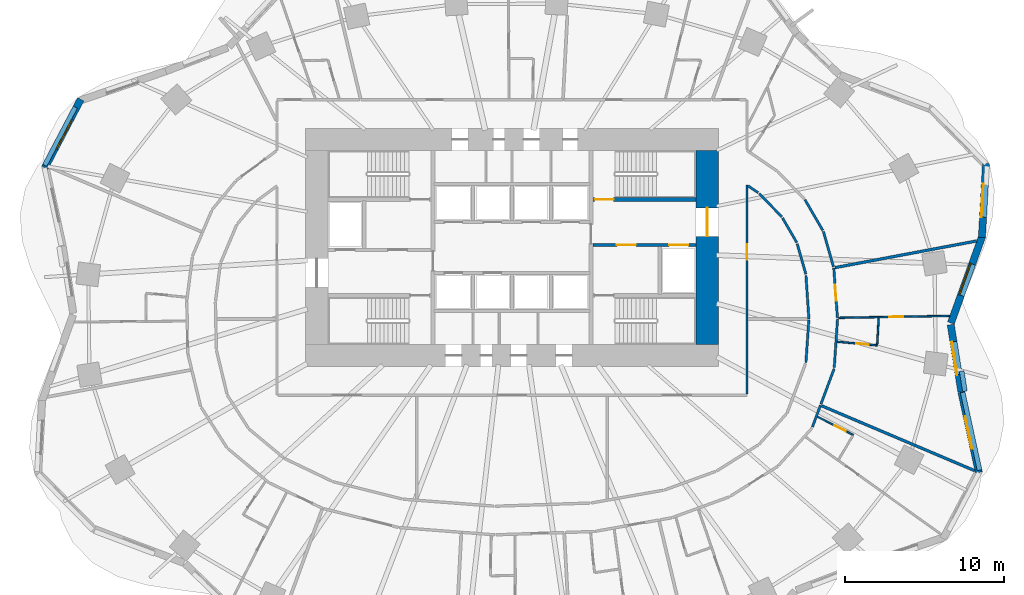
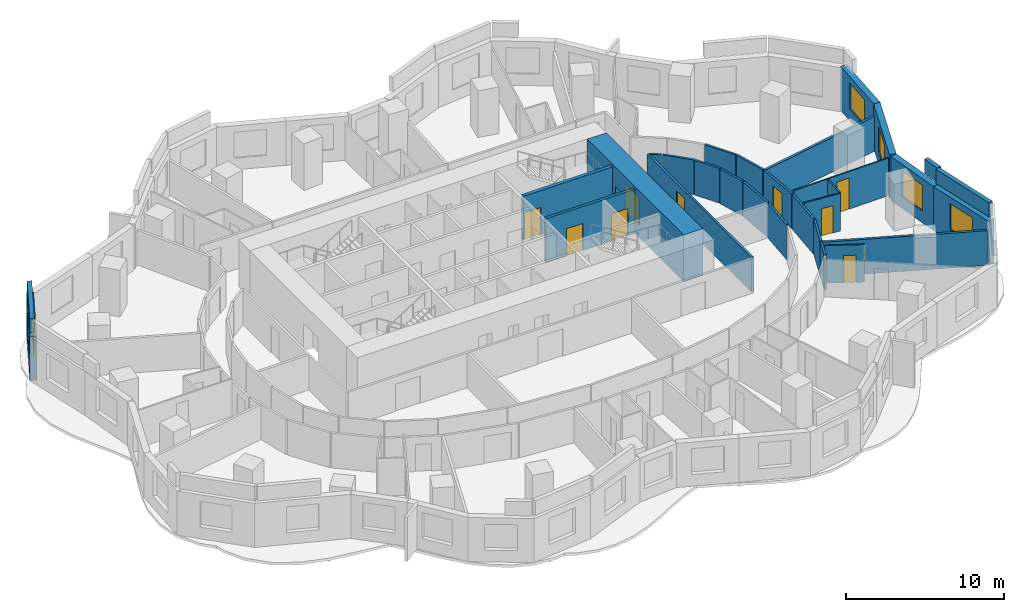
# One storey, part 7 of 11: 30 walls, 9 doors, 5 windows, 14 openings.
"""IFC4 building model written with IfcOpenShell, lengths in metres."""

from ifc_helpers import new_model, si_unit, direction, frame, frame_2d, origin, place, context, subcontext, project, spatial, rectangle, extrude, material, layer, layer_set, type_object, element, fill, save


model = new_model("IFC4")

# Units and contexts
model_context = context("Model", 3, precision=1e-05, world=origin(), true_north=direction((0.0, 1.0)))
body_context = subcontext(model_context, "Body", "Model", "MODEL_VIEW")
ifc_project = project(units=[si_unit("LENGTHUNIT", "METRE"), si_unit("AREAUNIT", "SQUARE_METRE"), si_unit("VOLUMEUNIT", "CUBIC_METRE"), si_unit("PLANEANGLEUNIT", "RADIAN"), si_unit("MASSUNIT", "GRAM", prefix="KILO")], contexts=[model_context])

# Site, building, storey
site_placement = place(None, origin())
site = spatial("IfcSite", under=ifc_project, at=site_placement, CompositionType="ELEMENT")
building_placement = place(site_placement, origin())
building = spatial("IfcBuilding", under=site, at=building_placement, Name="Rubra Terraces Tower", CompositionType="ELEMENT")
storey_placement = place(building_placement, frame((0.0, 0.0, 69.89990234375)))
storey = spatial("IfcBuildingStorey", under=building, at=storey_placement, Name="L15", CompositionType="ELEMENT", Elevation=69.89990234375)

# Walls
ifc_material_1 = material(Name="Twin plasterboard on staggered steel stud, acoustic mineral wool", Category="steel")
ifc_layer_1 = layer(ifc_material_1, 0.175048828125)
ifc_layer_set_1 = layer_set([ifc_layer_1], Name="Twin plasterboard on staggered steel stud, acoustic mineral wool")
wall_type_1 = type_object("IfcWallType", Name="ACOUSTIC PARTY WALL 175", PredefinedType="PARTITIONING", material=ifc_layer_set_1)
wall_1_placement = place(storey_placement, frame((29.13916015625, -9.557373046875, 0.0), z_axis=(0.0, 0.0, 1.0), x_axis=(-0.920644988054, 0.390400827318, 0.0)))
element("IfcWall", 1, at=wall_1_placement, inside=storey, type_object=wall_type_1, Name="PARTITION", PredefinedType="PARTITIONING", context=body_context, shape_type="SweptSolid", body=[
    extrude(rectangle(XDim=10.4765625, YDim=0.175048828125, at=frame_2d((5.23828125, 0.0))), origin(), (0.0, 0.0, 1.0), 2.68017578125),
])
wall_2_placement = place(storey_placement, frame((29.256591796875, 4.90966796875, 0.0), z_axis=(0.0, 0.0, 1.0), x_axis=(-0.982744388162, -0.184968828552, 0.0)))
element("IfcWall", 2, at=wall_2_placement, inside=storey, type_object=wall_type_1, Name="PARTITION", PredefinedType="PARTITIONING", context=body_context, shape_type="SweptSolid", body=[
    extrude(rectangle(XDim=9.078369140625, YDim=0.175048828125, at=frame_2d((4.5390625, 0.0))), origin(), (0.0, 0.0, 1.0), 2.68017578125),
])

# Wall, opening, window
ifc_material_2 = material(Name="Brick masonry red-brown", Category="masonry")
ifc_layer_2 = layer(ifc_material_2, 0.449951171875)
ifc_layer_set_2 = layer_set([ifc_layer_2], Name="Brick masonry red-brown")
wall_type_2 = type_object("IfcWallType", Name="Brick facade wall 450", PredefinedType="SOLIDWALL", material=ifc_layer_set_2)
wall_3_placement = place(storey_placement, frame((27.638427734375, -0.25732421875, 0.0), z_axis=(0.0, 0.0, 1.0), x_axis=(0.338914809068, 0.940817066275, 0.0)))
wall_3 = element("IfcWall", 3, at=wall_3_placement, inside=storey, type_object=wall_type_2, Name="Facade wall L15 bay 1", PredefinedType="SOLIDWALL", context=body_context, shape_type="SweptSolid", body=[
    extrude(rectangle(XDim=5.79736328125, YDim=0.449951171875, at=frame_2d((2.898681640625, 0.0))), origin(), (0.0, 0.0, 1.0), 3.400146484375),
])
opening_1_placement = place(wall_3_placement, frame((1.8486328125, 0.0, 0.89990234375)))
opening_1 = element("IfcOpeningElement", 4, at=opening_1_placement, cuts=wall_3, Name="Opening W1", PredefinedType="OPENING", context=body_context, shape_type="SweptSolid", body=[
    extrude(rectangle(XDim=2.10009765625, YDim=2.0, at=frame_2d((1.050048828125, 1.0))), frame((0.0, 0.23486328125, 0.0), z_axis=(0.0, -1.0, 0.0), x_axis=(1.0, 0.0, 0.0)), (0.0, 0.0, 1.0), 0.469970703125),
])
ifc_material_3 = material(Name="Clear glass in aluminium frame", Category="aluminium")
window_type = type_object("IfcWindowType", Name="Fixed deep-set window 2100 x 2000", PartitioningType="SINGLE_PANEL", PredefinedType="WINDOW", material=ifc_material_3)
window_1_placement = place(opening_1_placement, origin())
window_1 = element("IfcWindow", 5, at=window_1_placement, inside=storey, type_object=window_type, Name="Window L15 bay 1", OverallHeight=2.0, OverallWidth=2.10009765625, PartitioningType="SINGLE_PANEL", PredefinedType="WINDOW", context=body_context, shape_type="SweptSolid", body=[
    extrude(rectangle(XDim=2.10009765625, YDim=2.0, at=frame_2d((1.050048828125, 1.0))), frame((0.0, 0.135009765625, 0.0), z_axis=(0.0, -1.0, 0.0), x_axis=(1.0, 0.0, 0.0)), (0.0, 0.0, 1.0), 0.06005859375),
])
fill(opening_1, window_1)

wall_4_placement = place(storey_placement, frame((29.59033203125, 5.1328125, 0.0), z_axis=(0.0, 0.0, 1.0), x_axis=(0.054738225791, 0.998500739427, 0.0)))
wall_4 = element("IfcWall", 6, at=wall_4_placement, inside=storey, type_object=wall_type_2, Name="Facade wall L15 bay 2", PredefinedType="SOLIDWALL", context=body_context, shape_type="SweptSolid", body=[
    extrude(rectangle(XDim=4.656494140625, YDim=0.449951171875, at=frame_2d((2.328125, 0.0))), origin(), (0.0, 0.0, 1.0), 3.400146484375),
])
opening_2_placement = place(wall_4_placement, frame((1.2783203125, 0.0, 0.89990234375)))
opening_2 = element("IfcOpeningElement", 7, at=opening_2_placement, cuts=wall_4, Name="Opening W1", PredefinedType="OPENING", context=body_context, shape_type="SweptSolid", body=[
    extrude(rectangle(XDim=2.10009765625, YDim=2.0, at=frame_2d((1.050048828125, 1.0))), frame((0.0, 0.23486328125, 0.0), z_axis=(0.0, -1.0, 0.0), x_axis=(1.0, 0.0, 0.0)), (0.0, 0.0, 1.0), 0.469970703125),
])
window_2_placement = place(opening_2_placement, origin())
window_2 = element("IfcWindow", 8, at=window_2_placement, inside=storey, type_object=window_type, Name="Window L15 bay 2", OverallHeight=2.0, OverallWidth=2.10009765625, PartitioningType="SINGLE_PANEL", PredefinedType="WINDOW", context=body_context, shape_type="SweptSolid", body=[
    extrude(rectangle(XDim=2.10009765625, YDim=2.0, at=frame_2d((1.050048828125, 1.0))), frame((0.0, 0.135009765625, 0.0), z_axis=(0.0, -1.0, 0.0), x_axis=(1.0, 0.0, 0.0)), (0.0, 0.0, 1.0), 0.06005859375),
])
fill(opening_2, window_2)

wall_5_placement = place(storey_placement, frame((-27.15283203125, 13.831298828125, 0.0), z_axis=(0.0, 0.0, 1.0), x_axis=(-0.465165872942, -0.885223537108, 0.0)))
wall_5 = element("IfcWall", 9, at=wall_5_placement, inside=storey, type_object=wall_type_2, Name="Facade wall L15 bay 18", PredefinedType="SOLIDWALL", context=body_context, shape_type="SweptSolid", body=[
    extrude(rectangle(XDim=4.87109375, YDim=0.449951171875, at=frame_2d((2.435546875, 0.0))), origin(), (0.0, 0.0, 1.0), 3.400146484375),
])
opening_3_placement = place(wall_5_placement, frame((1.385498046875, 0.0, 0.89990234375)))
opening_3 = element("IfcOpeningElement", 10, at=opening_3_placement, cuts=wall_5, Name="Opening W1", PredefinedType="OPENING", context=body_context, shape_type="SweptSolid", body=[
    extrude(rectangle(XDim=2.10009765625, YDim=2.0, at=frame_2d((1.050048828125, 1.0))), frame((0.0, 0.23486328125, 0.0), z_axis=(0.0, -1.0, 0.0), x_axis=(1.0, 0.0, 0.0)), (0.0, 0.0, 1.0), 0.469970703125),
])
window_3_placement = place(opening_3_placement, origin())
window_3 = element("IfcWindow", 11, at=window_3_placement, inside=storey, type_object=window_type, Name="Window L15 bay 18", OverallHeight=2.0, OverallWidth=2.10009765625, PartitioningType="SINGLE_PANEL", PredefinedType="WINDOW", context=body_context, shape_type="SweptSolid", body=[
    extrude(rectangle(XDim=2.10009765625, YDim=2.0, at=frame_2d((1.050048828125, 1.0))), frame((0.0, 0.135009765625, 0.0), z_axis=(0.0, -1.0, 0.0), x_axis=(1.0, 0.0, 0.0)), (0.0, 0.0, 1.0), 0.06005859375),
])
fill(opening_3, window_3)

wall_6_placement = place(storey_placement, frame((29.39697265625, -9.665771484375, 0.0), z_axis=(0.0, 0.0, 1.0), x_axis=(-0.211962455994, 0.977277809657, 0.0)))
wall_6 = element("IfcWall", 12, at=wall_6_placement, inside=storey, type_object=wall_type_2, Name="Facade wall L15 bay 39", PredefinedType="SOLIDWALL", context=body_context, shape_type="SweptSolid", body=[
    extrude(rectangle(XDim=5.185546875, YDim=0.449951171875, at=frame_2d((2.5927734375, 0.0))), origin(), (0.0, 0.0, 1.0), 3.400146484375),
])
opening_4_placement = place(wall_6_placement, frame((1.542724609375, 0.0, 0.89990234375)))
opening_4 = element("IfcOpeningElement", 13, at=opening_4_placement, cuts=wall_6, Name="Opening W1", PredefinedType="OPENING", context=body_context, shape_type="SweptSolid", body=[
    extrude(rectangle(XDim=2.10009765625, YDim=2.0, at=frame_2d((1.050048828125, 1.0))), frame((0.0, 0.23486328125, 0.0), z_axis=(0.0, -1.0, 0.0), x_axis=(1.0, 0.0, 0.0)), (0.0, 0.0, 1.0), 0.469970703125),
])
window_4_placement = place(opening_4_placement, origin())
window_4 = element("IfcWindow", 14, at=window_4_placement, inside=storey, type_object=window_type, Name="Window L15 bay 39", OverallHeight=2.0, OverallWidth=2.10009765625, PartitioningType="SINGLE_PANEL", PredefinedType="WINDOW", context=body_context, shape_type="SweptSolid", body=[
    extrude(rectangle(XDim=2.10009765625, YDim=2.0, at=frame_2d((1.050048828125, 1.0))), frame((0.0, 0.135009765625, 0.0), z_axis=(0.0, -1.0, 0.0), x_axis=(1.0, 0.0, 0.0)), (0.0, 0.0, 1.0), 0.06005859375),
])
fill(opening_4, window_4)

wall_7_placement = place(storey_placement, frame((28.295654296875, -4.584228515625, 0.0), z_axis=(0.0, 0.0, 1.0), x_axis=(-0.156402397796, 0.987693419014, 0.0)))
wall_7 = element("IfcWall", 15, at=wall_7_placement, inside=storey, type_object=wall_type_2, Name="Facade wall L15 bay 40", PredefinedType="SOLIDWALL", context=body_context, shape_type="SweptSolid", body=[
    extrude(rectangle(XDim=4.275634765625, YDim=0.449951171875, at=frame_2d((2.1376953125, 0.0))), origin(), (0.0, 0.0, 1.0), 3.400146484375),
])
opening_5_placement = place(wall_7_placement, frame((1.087890625, 0.0, 0.89990234375)))
opening_5 = element("IfcOpeningElement", 16, at=opening_5_placement, cuts=wall_7, Name="Opening W1", PredefinedType="OPENING", context=body_context, shape_type="SweptSolid", body=[
    extrude(rectangle(XDim=2.10009765625, YDim=2.0, at=frame_2d((1.050048828125, 1.0))), frame((0.0, 0.23486328125, 0.0), z_axis=(0.0, -1.0, 0.0), x_axis=(1.0, 0.0, 0.0)), (0.0, 0.0, 1.0), 0.469970703125),
])
window_5_placement = place(opening_5_placement, origin())
window_5 = element("IfcWindow", 17, at=window_5_placement, inside=storey, type_object=window_type, Name="Window L15 bay 40", OverallHeight=2.0, OverallWidth=2.10009765625, PartitioningType="SINGLE_PANEL", PredefinedType="WINDOW", context=body_context, shape_type="SweptSolid", body=[
    extrude(rectangle(XDim=2.10009765625, YDim=2.0, at=frame_2d((1.050048828125, 1.0))), frame((0.0, 0.135009765625, 0.0), z_axis=(0.0, -1.0, 0.0), x_axis=(1.0, 0.0, 0.0)), (0.0, 0.0, 1.0), 0.06005859375),
])
fill(opening_5, window_5)

# Walls
ifc_layer_3 = layer(ifc_material_2, 0.300048828125)
ifc_layer_set_3 = layer_set([ifc_layer_3], Name="Brick masonry red-brown")
wall_type_3 = type_object("IfcWallType", Name="Brick parapet 300", PredefinedType="PARAPET", material=ifc_layer_set_3)
wall_8_placement = place(storey_placement, frame((-27.495361328125, 13.3408203125, 3.60009765625), z_axis=(0.0, 0.0, 1.0), x_axis=(-0.46519687666, -0.88520724463, 0.0)))
element("IfcWall", 18, at=wall_8_placement, inside=storey, type_object=wall_type_3, Name="Parapet L15 bay 18", PredefinedType="PARAPET", context=body_context, shape_type="SweptSolid", body=[
    extrude(rectangle(XDim=4.138671875, YDim=0.300048828125, at=frame_2d((2.0693359375, 0.0))), origin(), (0.0, 0.0, 1.0), 1.10009765625),
])
wall_9_placement = place(storey_placement, frame((29.44189453125, -9.519775390625, 3.60009765625), z_axis=(0.0, 0.0, 1.0), x_axis=(-0.211918382355, 0.977287367779, 0.0)))
element("IfcWall", 19, at=wall_9_placement, inside=storey, type_object=wall_type_3, Name="Parapet L15 bay 39", PredefinedType="PARAPET", context=body_context, shape_type="SweptSolid", body=[
    extrude(rectangle(XDim=5.01611328125, YDim=0.300048828125, at=frame_2d((2.508056640625, 0.0))), origin(), (0.0, 0.0, 1.0), 1.10009765625),
])
wall_10_placement = place(storey_placement, frame((28.51904296875, -4.556396484375, 3.60009765625), z_axis=(0.0, 0.0, 1.0), x_axis=(-0.156466543472, 0.987683259337, 0.0)))
element("IfcWall", 20, at=wall_10_placement, inside=storey, type_object=wall_type_3, Name="Parapet L15 bay 40", PredefinedType="PARAPET", context=body_context, shape_type="SweptSolid", body=[
    extrude(rectangle(XDim=1.29345703125, YDim=0.300048828125, at=frame_2d((0.646728515625, 0.0))), origin(), (0.0, 0.0, 1.0), 1.10009765625),
])

# Wall, opening, door
ifc_material_4 = material(Name="Concrete C70", Category="concrete")
ifc_layer_4 = layer(ifc_material_4, 1.39990234375)
ifc_layer_set_4 = layer_set([ifc_layer_4], Name="Concrete C70")
wall_type_4 = type_object("IfcWallType", Name="CORE WALL 1400 C70", PredefinedType="SHEAR", material=ifc_layer_set_4)
wall_11_placement = place(storey_placement, frame((12.300048828125, -1.60009765625, 0.0), z_axis=(0.0, 0.0, 1.0), x_axis=(0.0, 1.0, 0.0)))
wall_11 = element("IfcWall", 21, at=wall_11_placement, inside=storey, type_object=wall_type_4, Name="CORE WALL E L15", PredefinedType="SHEAR", context=body_context, shape_type="SweptSolid", body=[
    extrude(rectangle(XDim=12.2001953125, YDim=1.39990234375, at=frame_2d((6.10009765625, 0.0))), origin(), (0.0, 0.0, 1.0), 3.60009765625),
])
opening_6_placement = place(wall_11_placement, frame((6.800048828125, 0.0, 0.0)))
opening_6 = element("IfcOpeningElement", 22, at=opening_6_placement, cuts=wall_11, Name="Opening L15.C02", PredefinedType="OPENING", context=body_context, shape_type="SweptSolid", body=[
    extrude(rectangle(XDim=1.800048828125, YDim=2.10009765625, at=frame_2d((0.89990234375, 1.050048828125))), frame((0.0, 0.7099609375, 0.0), z_axis=(0.0, -1.0, 0.0), x_axis=(1.0, 0.0, 0.0)), (0.0, 0.0, 1.0), 1.419921875),
])
ifc_material_5 = material(Name="Painted steel", Category="steel")
door_type_1 = type_object("IfcDoorType", Name="Fire door 1800x2100 double", OperationType="NOTDEFINED", PredefinedType="DOOR", material=ifc_material_5)
door_1_placement = place(opening_6_placement, origin())
door_1 = element("IfcDoor", 23, at=door_1_placement, inside=storey, type_object=door_type_1, Name="Core entrance door FF2", OperationType="DOUBLE_DOOR_SINGLE_SWING", OverallHeight=2.10009765625, OverallWidth=1.800048828125, PredefinedType="DOOR", context=body_context, shape_type="SweptSolid", body=[
    extrude(rectangle(XDim=1.800048828125, YDim=2.10009765625, at=frame_2d((0.89990234375, 1.050048828125))), frame((0.0, 0.02490234375, 0.0), z_axis=(0.0, -1.0, 0.0), x_axis=(1.0, 0.0, 0.0)), (0.0, 0.0, 1.0), 0.050048828125),
])
fill(opening_6, door_1)

# Walls
ifc_material_6 = material(Name="Plasterboard on steel stud, mineral wool infill", Category="steel")
ifc_layer_5 = layer(ifc_material_6, 0.14990234375)
ifc_layer_set_5 = layer_set([ifc_layer_5], Name="Plasterboard on steel stud, mineral wool infill")
wall_type_5 = type_object("IfcWallType", Name="CORRIDOR PARTITION 150", PredefinedType="PARTITIONING", material=ifc_layer_set_5)
wall_12_placement = place(storey_placement, frame((18.914794921875, -6.805908203125, 0.0), z_axis=(0.0, 0.0, 1.0), x_axis=(0.349345122546, 0.936994122368, 0.0)))
element("IfcWall", 24, at=wall_12_placement, inside=storey, type_object=wall_type_5, Name="PARTITION", PredefinedType="PARTITIONING", context=body_context, shape_type="SweptSolid", body=[
    extrude(rectangle(XDim=1.4599609375, YDim=0.14990234375, at=frame_2d((0.72998046875, 0.0))), origin(), (0.0, 0.0, 1.0), 2.68017578125),
])
wall_13_placement = place(storey_placement, frame((19.451171875, -5.367919921875, 0.0), z_axis=(0.0, 0.0, 1.0), x_axis=(0.349432605922, 0.936961500766, 0.0)))
element("IfcWall", 25, at=wall_13_placement, inside=storey, type_object=wall_type_5, Name="PARTITION", PredefinedType="PARTITIONING", context=body_context, shape_type="SweptSolid", body=[
    extrude(rectangle(XDim=2.39013671875, YDim=0.14990234375, at=frame_2d((1.195068359375, 0.0))), origin(), (0.0, 0.0, 1.0), 2.68017578125),
])
wall_14_placement = place(storey_placement, frame((20.29150390625, -3.053466796875, 0.0), z_axis=(0.0, 0.0, 1.0), x_axis=(0.067646719267, 0.997709337118, 0.0)))
element("IfcWall", 26, at=wall_14_placement, inside=storey, type_object=wall_type_5, Name="PARTITION", PredefinedType="PARTITIONING", context=body_context, shape_type="SweptSolid", body=[
    extrude(rectangle(XDim=3.060546875, YDim=0.14990234375, at=frame_2d((1.5302734375, 0.0))), origin(), (0.0, 0.0, 1.0), 2.68017578125),
])

# Wall, opening, door
wall_15_placement = place(storey_placement, frame((20.4931640625, 0.07470703125, 0.0), z_axis=(0.0, 0.0, 1.0), x_axis=(-0.073620484391, 0.997286330137, 0.0)))
wall_15 = element("IfcWall", 27, at=wall_15_placement, inside=storey, type_object=wall_type_5, Name="PARTITION", PredefinedType="PARTITIONING", context=body_context, shape_type="SweptSolid", body=[
    extrude(rectangle(XDim=3.150390625, YDim=0.14990234375, at=frame_2d((1.5751953125, 0.0))), origin(), (0.0, 0.0, 1.0), 2.68017578125),
])
opening_7_placement = place(wall_15_placement, frame((1.073974609375, 0.0, 0.0)))
opening_7 = element("IfcOpeningElement", 28, at=opening_7_placement, cuts=wall_15, Name="Opening 15-128", PredefinedType="OPENING", context=body_context, shape_type="SweptSolid", body=[
    extrude(rectangle(XDim=1.0, YDim=2.10009765625, at=frame_2d((0.5, 1.050048828125))), frame((0.0, 0.0849609375, 0.0), z_axis=(0.0, -1.0, 0.0), x_axis=(1.0, 0.0, 0.0)), (0.0, 0.0, 1.0), 0.169921875),
])
ifc_material_7 = material(Name="Painted timber door leaf", Category="wood")
door_type_2 = type_object("IfcDoorType", Name="ROOM DOOR 1000 X 2100", OperationType="SINGLE_SWING_LEFT", PredefinedType="DOOR", material=ifc_material_7)
door_2_placement = place(opening_7_placement, origin())
door_2 = element("IfcDoor", 29, at=door_2_placement, inside=storey, type_object=door_type_2, Name="DOOR 15-128", OperationType="SINGLE_SWING_RIGHT", OverallHeight=2.10009765625, OverallWidth=1.0, PredefinedType="DOOR", context=body_context, shape_type="SweptSolid", body=[
    extrude(rectangle(XDim=1.0, YDim=2.10009765625, at=frame_2d((0.5, 1.050048828125))), frame((0.0, 0.02490234375, 0.0), z_axis=(0.0, -1.0, 0.0), x_axis=(1.0, 0.0, 0.0)), (0.0, 0.0, 1.0), 0.050048828125),
])
fill(opening_7, door_2)

# Walls
wall_16_placement = place(storey_placement, frame((20.240478515625, 3.288818359375, 0.0), z_axis=(0.0, 0.0, 1.0), x_axis=(-0.27423295978, 0.961663290227, 0.0)))
element("IfcWall", 30, at=wall_16_placement, inside=storey, type_object=wall_type_5, Name="PARTITION", PredefinedType="PARTITIONING", context=body_context, shape_type="SweptSolid", body=[
    extrude(rectangle(XDim=2.31201171875, YDim=0.14990234375, at=frame_2d((1.156005859375, 0.0))), origin(), (0.0, 0.0, 1.0), 2.68017578125),
])
wall_17_placement = place(storey_placement, frame((19.56884765625, 5.576904296875, 0.0), z_axis=(0.0, 0.0, 1.0), x_axis=(-0.502457989762, 0.864601624174, 0.0)))
element("IfcWall", 31, at=wall_17_placement, inside=storey, type_object=wall_type_5, Name="PARTITION", PredefinedType="PARTITIONING", context=body_context, shape_type="SweptSolid", body=[
    extrude(rectangle(XDim=2.246337890625, YDim=0.14990234375, at=frame_2d((1.123046875, 0.0))), origin(), (0.0, 0.0, 1.0), 2.68017578125),
])
wall_18_placement = place(storey_placement, frame((15.564453125, 7.9013671875, 0.0), z_axis=(0.0, 0.0, 1.0), x_axis=(0.695611358841, -0.718418288639, 0.0)))
element("IfcWall", 32, at=wall_18_placement, inside=storey, type_object=wall_type_5, Name="PARTITION", PredefinedType="PARTITIONING", context=body_context, shape_type="SweptSolid", body=[
    extrude(rectangle(XDim=2.05517578125, YDim=0.14990234375, at=frame_2d((1.027587890625, 0.0))), origin(), (0.0, 0.0, 1.0), 2.68017578125),
])
wall_19_placement = place(storey_placement, frame((17.031982421875, 6.35986328125, 0.0), z_axis=(0.0, 0.0, 1.0), x_axis=(0.502488551999, -0.864583862393, 0.0)))
element("IfcWall", 33, at=wall_19_placement, inside=storey, type_object=wall_type_5, Name="PARTITION", PredefinedType="PARTITIONING", context=body_context, shape_type="SweptSolid", body=[
    extrude(rectangle(XDim=1.801513671875, YDim=0.14990234375, at=frame_2d((0.90087890625, 0.0))), origin(), (0.0, 0.0, 1.0), 2.68017578125),
])
wall_20_placement = place(storey_placement, frame((17.957763671875, 4.72998046875, 0.0), z_axis=(0.0, 0.0, 1.0), x_axis=(0.274315841816, -0.961639651288, 0.0)))
element("IfcWall", 34, at=wall_20_placement, inside=storey, type_object=wall_type_5, Name="PARTITION", PredefinedType="PARTITIONING", context=body_context, shape_type="SweptSolid", body=[
    extrude(rectangle(XDim=1.9892578125, YDim=0.14990234375, at=frame_2d((0.99462890625, 0.0))), origin(), (0.0, 0.0, 1.0), 2.68017578125),
])
wall_21_placement = place(storey_placement, frame((18.50830078125, 2.7421875, 0.0), z_axis=(0.0, 0.0, 1.0), x_axis=(0.067774714774, -0.997700650515, 0.0)))
element("IfcWall", 35, at=wall_21_placement, inside=storey, type_object=wall_type_5, Name="PARTITION", PredefinedType="PARTITIONING", context=body_context, shape_type="SweptSolid", body=[
    extrude(rectangle(XDim=2.74853515625, YDim=0.14990234375, at=frame_2d((1.374267578125, 0.0))), origin(), (0.0, 0.0, 1.0), 2.68017578125),
])
wall_22_placement = place(storey_placement, frame((18.689453125, -0.07470703125, 0.0), z_axis=(0.0, 0.0, 1.0), x_axis=(-0.067687508044, -0.997706570718, 0.0)))
element("IfcWall", 36, at=wall_22_placement, inside=storey, type_object=wall_type_5, Name="PARTITION", PredefinedType="PARTITIONING", context=body_context, shape_type="SweptSolid", body=[
    extrude(rectangle(XDim=2.67626953125, YDim=0.14990234375, at=frame_2d((1.338134765625, 0.0))), origin(), (0.0, 0.0, 1.0), 2.68017578125),
])

# Wall, opening, door
wall_23_placement = place(storey_placement, frame((14.800048828125, -4.72509765625, 0.0), z_axis=(0.0, 0.0, 1.0), x_axis=(0.0, 1.0, 0.0)))
wall_23 = element("IfcWall", 37, at=wall_23_placement, inside=storey, type_object=wall_type_5, Name="PARTITION", PredefinedType="PARTITIONING", context=body_context, shape_type="SweptSolid", body=[
    extrude(rectangle(XDim=13.150390625, YDim=0.14990234375, at=frame_2d((6.5751953125, 0.0))), origin(), (0.0, 0.0, 1.0), 2.68017578125),
])
opening_8_placement = place(wall_23_placement, frame((8.43798828125, 0.0, 0.0)))
opening_8 = element("IfcOpeningElement", 38, at=opening_8_placement, cuts=wall_23, Name="Opening 15-139", PredefinedType="OPENING", context=body_context, shape_type="SweptSolid", body=[
    extrude(rectangle(XDim=1.0, YDim=2.10009765625, at=frame_2d((0.5, 1.050048828125))), frame((0.0, 0.0849609375, 0.0), z_axis=(0.0, -1.0, 0.0), x_axis=(1.0, 0.0, 0.0)), (0.0, 0.0, 1.0), 0.169921875),
])
door_3_placement = place(opening_8_placement, origin())
door_3 = element("IfcDoor", 39, at=door_3_placement, inside=storey, type_object=door_type_2, Name="DOOR 15-139", OperationType="SINGLE_SWING_RIGHT", OverallHeight=2.10009765625, OverallWidth=1.0, PredefinedType="DOOR", context=body_context, shape_type="SweptSolid", body=[
    extrude(rectangle(XDim=1.0, YDim=2.10009765625, at=frame_2d((0.5, 1.050048828125))), frame((0.0, 0.02490234375, 0.0), z_axis=(0.0, -1.0, 0.0), x_axis=(1.0, 0.0, 0.0)), (0.0, 0.0, 1.0), 0.050048828125),
])
fill(opening_8, door_3)

# Wall
wall_24_placement = place(storey_placement, frame((14.86181640625, 8.3828125, 0.0), z_axis=(0.0, 0.0, 1.0), x_axis=(0.824875387239, -0.565314598721, 0.0)))
element("IfcWall", 40, at=wall_24_placement, inside=storey, type_object=wall_type_5, Name="PARTITION", PredefinedType="PARTITIONING", context=body_context, shape_type="SweptSolid", body=[
    extrude(rectangle(XDim=0.77685546875, YDim=0.14990234375, at=frame_2d((0.388427734375, 0.0))), origin(), (0.0, 0.0, 1.0), 2.68017578125),
])

# Wall, openings, doors
ifc_material_8 = material(Name="Concrete C30", Category="concrete")
ifc_layer_6 = layer(ifc_material_8, 0.199951171875)
ifc_layer_set_6 = layer_set([ifc_layer_6], Name="Concrete C30")
wall_type_6 = type_object("IfcWallType", Name="Core wall 200 concrete", PredefinedType="SOLIDWALL", material=ifc_layer_set_6)
wall_25_placement = place(storey_placement, frame((11.60009765625, 4.64990234375, 0.0), z_axis=(0.0, 0.0, 1.0), x_axis=(-1.0, 0.0, 0.0)))
wall_25 = element("IfcWall", 41, at=wall_25_placement, inside=storey, type_object=wall_type_6, Name="STAIR WALL L15", PredefinedType="SOLIDWALL", context=body_context, shape_type="SweptSolid", body=[
    extrude(rectangle(XDim=6.5, YDim=0.199951171875, at=frame_2d((3.25, 0.0))), origin(), (0.0, 0.0, 1.0), 3.400146484375),
])
opening_9_placement = place(wall_25_placement, frame((3.800048828125, 0.0, 0.0)))
opening_9 = element("IfcOpeningElement", 42, at=opening_9_placement, cuts=wall_25, Name="Opening L15.C06", PredefinedType="OPENING", context=body_context, shape_type="SweptSolid", body=[
    extrude(rectangle(XDim=1.199951171875, YDim=2.10009765625, at=frame_2d((0.60009765625, 1.050048828125))), frame((0.0, 0.10986328125, 0.0), z_axis=(0.0, -1.0, 0.0), x_axis=(1.0, 0.0, 0.0)), (0.0, 0.0, 1.0), 0.219970703125),
])
opening_10_placement = place(wall_25_placement, frame((0.5, 0.0, 0.0)))
opening_10 = element("IfcOpeningElement", 43, at=opening_10_placement, cuts=wall_25, Name="Opening L15.C12", PredefinedType="OPENING", context=body_context, shape_type="SweptSolid", body=[
    extrude(rectangle(XDim=1.199951171875, YDim=2.10009765625, at=frame_2d((0.60009765625, 1.050048828125))), frame((0.0, 0.10986328125, 0.0), z_axis=(0.0, -1.0, 0.0), x_axis=(1.0, 0.0, 0.0)), (0.0, 0.0, 1.0), 0.219970703125),
])
door_type_3 = type_object("IfcDoorType", Name="Fire door 1200x2100 single", OperationType="NOTDEFINED", PredefinedType="DOOR", material=ifc_material_5)
door_4_placement = place(opening_9_placement, origin())
door_4 = element("IfcDoor", 44, at=door_4_placement, inside=storey, type_object=door_type_3, Name="Stair vestibule door S4", OperationType="SINGLE_SWING_RIGHT", OverallHeight=2.10009765625, OverallWidth=1.199951171875, PredefinedType="DOOR", context=body_context, shape_type="SweptSolid", body=[
    extrude(rectangle(XDim=1.199951171875, YDim=2.10009765625, at=frame_2d((0.60009765625, 1.050048828125))), frame((0.0, 0.02490234375, 0.0), z_axis=(0.0, -1.0, 0.0), x_axis=(1.0, 0.0, 0.0)), (0.0, 0.0, 1.0), 0.050048828125),
])
fill(opening_9, door_4)
ifc_material_9 = material(Name="Stainless steel", Category="steel")
door_type_4 = type_object("IfcDoorType", Name="Lift landing door 1200x2100", OperationType="NOTDEFINED", PredefinedType="DOOR", material=ifc_material_9)
door_5_placement = place(opening_10_placement, origin())
door_5 = element("IfcDoor", 45, at=door_5_placement, inside=storey, type_object=door_type_4, Name="Landing door FF2", OperationType="SLIDING_TO_RIGHT", OverallHeight=2.10009765625, OverallWidth=1.199951171875, PredefinedType="DOOR", context=body_context, shape_type="SweptSolid", body=[
    extrude(rectangle(XDim=1.199951171875, YDim=2.10009765625, at=frame_2d((0.60009765625, 1.050048828125))), frame((0.0, 0.02490234375, 0.0), z_axis=(0.0, -1.0, 0.0), x_axis=(1.0, 0.0, 0.0)), (0.0, 0.0, 1.0), 0.050048828125),
])
fill(opening_10, door_5)

# Wall, opening, door
ifc_material_10 = material(Name="Plasterboard on steel stud", Category="steel")
ifc_layer_7 = layer(ifc_material_10, 0.10009765625)
ifc_layer_set_7 = layer_set([ifc_layer_7], Name="Plasterboard on steel stud")
wall_type_7 = type_object("IfcWallType", Name="ROOM PARTITION 100", PredefinedType="PARTITIONING", material=ifc_layer_set_7)
wall_26_placement = place(storey_placement, frame((19.23681640625, -6.156005859375, 0.0), z_axis=(0.0, 0.0, 1.0), x_axis=(0.890073027503, -0.455817952379, 0.0)))
wall_26 = element("IfcWall", 46, at=wall_26_placement, inside=storey, type_object=wall_type_7, Name="PARTITION", PredefinedType="PARTITIONING", context=body_context, shape_type="SweptSolid", body=[
    extrude(rectangle(XDim=2.52490234375, YDim=0.10009765625, at=frame_2d((1.262451171875, 0.0))), origin(), (0.0, 0.0, 1.0), 2.898193359375),
])
opening_11_placement = place(wall_26_placement, frame((1.199951171875, 0.0, 0.0)))
opening_11 = element("IfcOpeningElement", 47, at=opening_11_placement, cuts=wall_26, Name="Opening 15-122", PredefinedType="OPENING", context=body_context, shape_type="SweptSolid", body=[
    extrude(rectangle(XDim=0.800048828125, YDim=2.10009765625, at=frame_2d((0.39990234375, 1.050048828125))), frame((0.0, 0.06005859375, 0.0), z_axis=(0.0, -1.0, 0.0), x_axis=(1.0, 0.0, 0.0)), (0.0, 0.0, 1.0), 0.1201171875),
])
door_type_5 = type_object("IfcDoorType", Name="BATHROOM DOOR 800 X 2100", OperationType="SINGLE_SWING_LEFT", PredefinedType="DOOR", material=ifc_material_7)
door_6_placement = place(opening_11_placement, origin())
door_6 = element("IfcDoor", 48, at=door_6_placement, inside=storey, type_object=door_type_5, Name="DOOR 15-122", OperationType="SINGLE_SWING_RIGHT", OverallHeight=2.10009765625, OverallWidth=0.800048828125, PredefinedType="DOOR", context=body_context, shape_type="SweptSolid", body=[
    extrude(rectangle(XDim=0.800048828125, YDim=2.10009765625, at=frame_2d((0.39990234375, 1.050048828125))), frame((0.0, 0.02490234375, 0.0), z_axis=(0.0, -1.0, 0.0), x_axis=(1.0, 0.0, 0.0)), (0.0, 0.0, 1.0), 0.050048828125),
])
fill(opening_11, door_6)

wall_27_placement = place(storey_placement, frame((27.56103515625, 0.191650390625, 0.0), z_axis=(0.0, 0.0, 1.0), x_axis=(-0.999851276026, -0.017246038071, 0.0)))
wall_27 = element("IfcWall", 49, at=wall_27_placement, inside=storey, type_object=wall_type_7, Name="PARTITION", PredefinedType="PARTITIONING", context=body_context, shape_type="SweptSolid", body=[
    extrude(rectangle(XDim=6.9931640625, YDim=0.10009765625, at=frame_2d((3.49658203125, 0.0))), origin(), (0.0, 0.0, 1.0), 2.898193359375),
])
opening_12_placement = place(wall_27_placement, frame((2.91796875, 0.0, 0.0)))
opening_12 = element("IfcOpeningElement", 50, at=opening_12_placement, cuts=wall_27, Name="Opening 15-127", PredefinedType="OPENING", context=body_context, shape_type="SweptSolid", body=[
    extrude(rectangle(XDim=0.89990234375, YDim=2.39990234375, at=frame_2d((0.449951171875, 1.199951171875))), frame((0.0, 0.06005859375, 0.0), z_axis=(0.0, -1.0, 0.0), x_axis=(1.0, 0.0, 0.0)), (0.0, 0.0, 1.0), 0.1201171875),
])
ifc_material_11 = material(Name="Veneered timber door leaf, fire-rated", Category="wood")
door_type_6 = type_object("IfcDoorType", Name="SUITE ENTRANCE DOOR 900 X 2400", OperationType="SINGLE_SWING_LEFT", PredefinedType="DOOR", material=ifc_material_11)
door_7_placement = place(opening_12_placement, origin())
door_7 = element("IfcDoor", 51, at=door_7_placement, inside=storey, type_object=door_type_6, Name="DOOR 15-127", OperationType="SINGLE_SWING_LEFT", OverallHeight=2.39990234375, OverallWidth=0.89990234375, PredefinedType="DOOR", context=body_context, shape_type="SweptSolid", body=[
    extrude(rectangle(XDim=0.89990234375, YDim=2.39990234375, at=frame_2d((0.449951171875, 1.199951171875))), frame((0.0, 0.02490234375, 0.0), z_axis=(0.0, -1.0, 0.0), x_axis=(1.0, 0.0, 0.0)), (0.0, 0.0, 1.0), 0.050048828125),
])
fill(opening_12, door_7)

wall_28_placement = place(storey_placement, frame((20.4765625, -1.43359375, 0.0), z_axis=(0.0, 0.0, 1.0), x_axis=(0.995745275682, -0.092148499488, 0.0)))
wall_28 = element("IfcWall", 52, at=wall_28_placement, inside=storey, type_object=wall_type_7, Name="PARTITION", PredefinedType="PARTITIONING", context=body_context, shape_type="SweptSolid", body=[
    extrude(rectangle(XDim=2.52490234375, YDim=0.10009765625, at=frame_2d((1.262451171875, 0.0))), origin(), (0.0, 0.0, 1.0), 2.898193359375),
])
opening_13_placement = place(wall_28_placement, frame((1.199951171875, 0.0, 0.0)))
opening_13 = element("IfcOpeningElement", 53, at=opening_13_placement, cuts=wall_28, Name="Opening 15-126", PredefinedType="OPENING", context=body_context, shape_type="SweptSolid", body=[
    extrude(rectangle(XDim=0.800048828125, YDim=2.10009765625, at=frame_2d((0.39990234375, 1.050048828125))), frame((0.0, 0.06005859375, 0.0), z_axis=(0.0, -1.0, 0.0), x_axis=(1.0, 0.0, 0.0)), (0.0, 0.0, 1.0), 0.1201171875),
])
door_8_placement = place(opening_13_placement, origin())
door_8 = element("IfcDoor", 54, at=door_8_placement, inside=storey, type_object=door_type_5, Name="DOOR 15-126", OperationType="SINGLE_SWING_LEFT", OverallHeight=2.10009765625, OverallWidth=0.800048828125, PredefinedType="DOOR", context=body_context, shape_type="SweptSolid", body=[
    extrude(rectangle(XDim=0.800048828125, YDim=2.10009765625, at=frame_2d((0.39990234375, 1.050048828125))), frame((0.0, 0.02490234375, 0.0), z_axis=(0.0, -1.0, 0.0), x_axis=(1.0, 0.0, 0.0)), (0.0, 0.0, 1.0), 0.050048828125),
])
fill(opening_13, door_8)

# Wall
wall_29_placement = place(storey_placement, frame((22.99365234375, -1.616455078125, 0.0), z_axis=(0.0, 0.0, 1.0), x_axis=(0.057557631077, 0.998342185378, 0.0)))
element("IfcWall", 55, at=wall_29_placement, inside=storey, type_object=wall_type_7, Name="PARTITION", PredefinedType="PARTITIONING", context=body_context, shape_type="SweptSolid", body=[
    extrude(rectangle(XDim=1.683837890625, YDim=0.10009765625, at=frame_2d((0.841796875, 0.0))), origin(), (0.0, 0.0, 1.0), 2.898193359375),
])

# Wall, opening, door
ifc_material_12 = material(Name="Concrete C40", Category="concrete")
ifc_layer_8 = layer(ifc_material_12, 0.25)
ifc_layer_set_8 = layer_set([ifc_layer_8], Name="Concrete C40")
wall_type_8 = type_object("IfcWallType", Name="Stair enclosure wall 250 concrete", PredefinedType="SOLIDWALL", material=ifc_layer_set_8)
wall_30_placement = place(storey_placement, frame((11.60009765625, 7.52490234375, 0.0), z_axis=(0.0, 0.0, 1.0), x_axis=(-1.0, 0.0, 0.0)))
wall_30 = element("IfcWall", 56, at=wall_30_placement, inside=storey, type_object=wall_type_8, Name="STAIR WALL L15", PredefinedType="SOLIDWALL", context=body_context, shape_type="SweptSolid", body=[
    extrude(rectangle(XDim=6.5, YDim=0.25, at=frame_2d((3.25, 0.0))), origin(), (0.0, 0.0, 1.0), 3.400146484375),
])
opening_14_placement = place(wall_30_placement, frame((5.199951171875, 0.0, 0.0)))
opening_14 = element("IfcOpeningElement", 57, at=opening_14_placement, cuts=wall_30, Name="Opening L15.C08", PredefinedType="OPENING", context=body_context, shape_type="SweptSolid", body=[
    extrude(rectangle(XDim=1.199951171875, YDim=2.10009765625, at=frame_2d((0.60009765625, 1.050048828125))), frame((0.0, 0.135009765625, 0.0), z_axis=(0.0, -1.0, 0.0), x_axis=(1.0, 0.0, 0.0)), (0.0, 0.0, 1.0), 0.27001953125),
])
door_9_placement = place(opening_14_placement, origin())
door_9 = element("IfcDoor", 58, at=door_9_placement, inside=storey, type_object=door_type_3, Name="Stair door S3", OperationType="SINGLE_SWING_RIGHT", OverallHeight=2.10009765625, OverallWidth=1.199951171875, PredefinedType="DOOR", context=body_context, shape_type="SweptSolid", body=[
    extrude(rectangle(XDim=1.199951171875, YDim=2.10009765625, at=frame_2d((0.60009765625, 1.050048828125))), frame((0.0, 0.02490234375, 0.0), z_axis=(0.0, -1.0, 0.0), x_axis=(1.0, 0.0, 0.0)), (0.0, 0.0, 1.0), 0.050048828125),
])
fill(opening_14, door_9)

save(model, "model.ifc")
